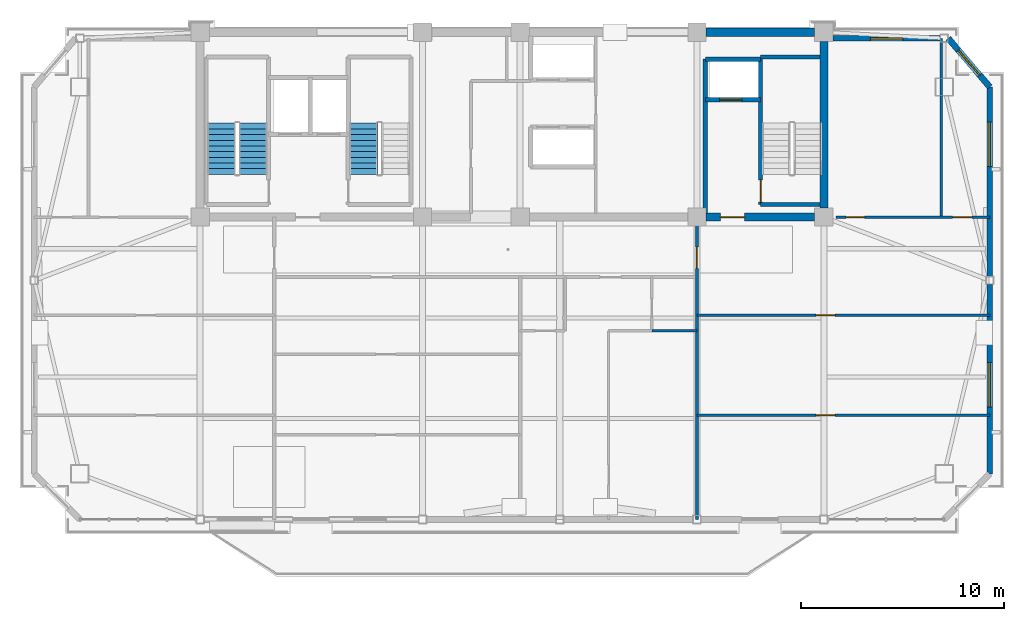
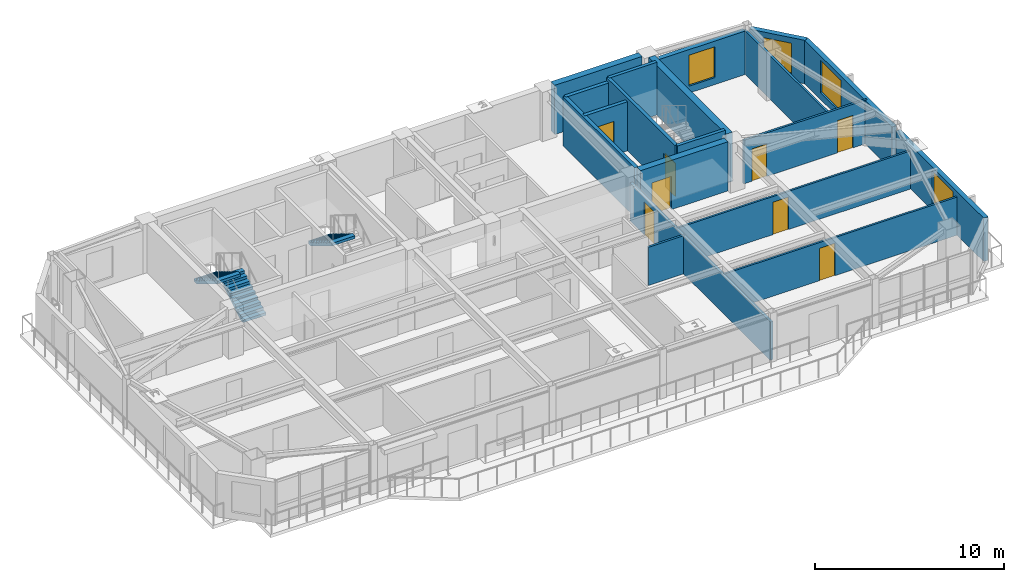
# One storey, part 8 of 12: 19 walls, 8 doors, 4 windows, 3 stair flights, 12 openings, 2 elements without a shape of their own.
"""IFC4 building model written with IfcOpenShell, lengths in metres."""

from ifc_helpers import new_model, si_unit, direction, frame, frame_2d, origin, place, context, subcontext, project, spatial, polyline, rectangle, outline, extrude, source, transform, mapped, material, layer, layer_set, type_object, element, fill, aggregate, save


model = new_model("IFC4")

# Units and contexts
model_context = context("Model", 3, precision=1e-05, world=origin(), true_north=direction((0.0, 1.0)))
body_context = subcontext(model_context, "Body", "Model", "MODEL_VIEW")
ifc_project = project(units=[si_unit("LENGTHUNIT", "METRE"), si_unit("AREAUNIT", "SQUARE_METRE"), si_unit("VOLUMEUNIT", "CUBIC_METRE"), si_unit("PLANEANGLEUNIT", "RADIAN"), si_unit("MASSUNIT", "GRAM", prefix="KILO")], contexts=[model_context])

# Site, building, storey
site_placement = place(None, origin())
site = spatial("IfcSite", under=ifc_project, at=site_placement, CompositionType="ELEMENT")
building_placement = place(site_placement, origin())
building = spatial("IfcBuilding", under=site, at=building_placement, Name="Giltprow Tower", CompositionType="ELEMENT")
storey_placement = place(building_placement, frame((0.0, 0.0, 339.10009765625)))
storey = spatial("IfcBuildingStorey", under=building, at=storey_placement, Name="L88", CompositionType="ELEMENT", Elevation=339.10009765625)

# Wall, opening, window
ifc_material_1 = material(Name="Precast concrete C40", Category="concrete")
ifc_layer_1 = layer(ifc_material_1, 0.300048828125, Name="Precast concrete C40")
ifc_layer_set_1 = layer_set([ifc_layer_1], Name="Precast concrete C40")
wall_type_1 = type_object("IfcWallType", Name="EW-NOTCH-CHAMFER-300", PredefinedType="SOLIDWALL", material=ifc_layer_set_1)
wall_1_placement = place(storey_placement, frame((58.715087890625, 43.85400390625, 0.0), z_axis=(0.0, 0.0, 1.0), x_axis=(-0.64940558052, 0.760442234486, 0.0)))
wall_1 = element("IfcWall", 1, at=wall_1_placement, inside=storey, type_object=wall_type_1, Name="L88 Corner Notch Wall NE", PredefinedType="SOLIDWALL", context=body_context, shape_type="SweptSolid", body=[
    extrude(rectangle(XDim=3.15087890625, YDim=0.300048828125, at=frame_2d((1.575439453125, 0.0))), origin(), (0.0, 0.0, 1.0), 2.81494140625),
])
opening_1_placement = place(wall_1_placement, frame((0.77490234375, 0.0, 0.449951171875)))
opening_1 = element("IfcOpeningElement", 2, at=opening_1_placement, cuts=wall_1, Name="Opening WN17", PredefinedType="OPENING", context=body_context, shape_type="SweptSolid", body=[
    extrude(rectangle(XDim=1.60009765625, YDim=2.0, at=frame_2d((0.800048828125, 1.0))), frame((0.0, 0.159912109375, 0.0), z_axis=(0.0, -1.0, 0.0), x_axis=(1.0, 0.0, 0.0)), (0.0, 0.0, 1.0), 0.320068359375),
])
ifc_material_2 = material(Name="Insulated glass", Category="glass")
window_type_1 = type_object("IfcWindowType", Name="WN-COR-1600x2000", PartitioningType="SINGLE_PANEL", PredefinedType="WINDOW", material=ifc_material_2)
shared_shape_1 = source(origin(), body_context, "Body", "SweptSolid", [
    extrude(rectangle(XDim=1.60009765625, YDim=2.0, at=frame_2d((0.800048828125, 1.0))), frame((0.0, 0.030029296875, 0.0), z_axis=(0.0, -1.0, 0.0), x_axis=(1.0, 0.0, 0.0)), (0.0, 0.0, 1.0), 0.06005859375),
])
window_1_placement = place(opening_1_placement, origin())
window_1 = element("IfcWindow", 3, at=window_1_placement, inside=storey, type_object=window_type_1, Name="L88 Corner Notch Window NE", OverallHeight=2.0, OverallWidth=1.60009765625, PartitioningType="SINGLE_PANEL", PredefinedType="WINDOW", context=body_context, shape_type="MappedRepresentation", body=[
    mapped(shared_shape_1, transform((0.0, 0.0, 0.0), x_axis=(1.0, 0.0, 0.0), y_axis=(0.0, 1.0, 0.0), z_axis=(0.0, 0.0, 1.0), scale=1.0)),
])
fill(opening_1, window_1)

ifc_layer_2 = layer(ifc_material_1, 0.280029296875, Name="Precast concrete C40")
ifc_layer_set_2 = layer_set([ifc_layer_2], Name="Precast concrete C40")
wall_type_2 = type_object("IfcWallType", Name="EW-TOW-BRONZE-280", PredefinedType="SOLIDWALL", material=ifc_layer_set_2)
wall_2_placement = place(storey_placement, frame((58.715087890625, 24.81396484375, 0.0), z_axis=(0.0, 0.0, 1.0), x_axis=(0.0, 1.0, 0.0)))
wall_2 = element("IfcWall", 4, at=wall_2_placement, inside=storey, type_object=wall_type_2, Name="L88 E Wing Masonry Wall 1", PredefinedType="SOLIDWALL", context=body_context, shape_type="SweptSolid", body=[
    extrude(rectangle(XDim=9.320068359375, YDim=0.280029296875, at=frame_2d((4.66015625, 0.0))), origin(), (0.0, 0.0, 1.0), 2.81494140625),
])
opening_2_placement = place(wall_2_placement, frame((3.278076171875, 0.0, 0.449951171875)))
opening_2 = element("IfcOpeningElement", 5, at=opening_2_placement, cuts=wall_2, Name="Opening WN27", PredefinedType="OPENING", context=body_context, shape_type="SweptSolid", body=[
    extrude(rectangle(XDim=2.199951171875, YDim=2.10009765625, at=frame_2d((1.10009765625, 1.050048828125))), frame((0.0, 0.14990234375, 0.0), z_axis=(0.0, -1.0, 0.0), x_axis=(1.0, 0.0, 0.0)), (0.0, 0.0, 1.0), 0.300048828125),
])
window_type_2 = type_object("IfcWindowType", Name="WN-RES-2200x2100", PartitioningType="TRIPLE_PANEL_VERTICAL", PredefinedType="WINDOW", material=ifc_material_2)
shared_shape_2 = source(origin(), body_context, "Body", "SweptSolid", [
    extrude(rectangle(XDim=2.199951171875, YDim=2.10009765625, at=frame_2d((1.10009765625, 1.050048828125))), frame((0.0, 0.030029296875, 0.0), z_axis=(0.0, -1.0, 0.0), x_axis=(1.0, 0.0, 0.0)), (0.0, 0.0, 1.0), 0.06005859375),
])
window_2_placement = place(opening_2_placement, origin())
window_2 = element("IfcWindow", 6, at=window_2_placement, inside=storey, type_object=window_type_2, Name="L88 E Wing Window 1-1", OverallHeight=2.10009765625, OverallWidth=2.199951171875, PartitioningType="SINGLE_PANEL", PredefinedType="WINDOW", context=body_context, shape_type="MappedRepresentation", body=[
    mapped(shared_shape_2, transform((0.0, 0.0, 0.0), x_axis=(1.0, 0.0, 0.0), y_axis=(0.0, 1.0, 0.0), z_axis=(0.0, 0.0, 1.0), scale=1.0)),
])
fill(opening_2, window_2)

wall_3_placement = place(storey_placement, frame((58.715087890625, 34.533935546875, 0.0), z_axis=(0.0, 0.0, 1.0), x_axis=(0.0, 1.0, 0.0)))
wall_3 = element("IfcWall", 7, at=wall_3_placement, inside=storey, type_object=wall_type_2, Name="L88 E Wing Masonry Wall 2", PredefinedType="SOLIDWALL", context=body_context, shape_type="SweptSolid", body=[
    extrude(rectangle(XDim=9.320068359375, YDim=0.280029296875, at=frame_2d((4.66015625, 0.0))), origin(), (0.0, 0.0, 1.0), 2.81494140625),
])
opening_3_placement = place(wall_3_placement, frame((5.39501953125, 0.0, 0.449951171875)))
opening_3 = element("IfcOpeningElement", 8, at=opening_3_placement, cuts=wall_3, Name="Opening WN27", PredefinedType="OPENING", context=body_context, shape_type="SweptSolid", body=[
    extrude(rectangle(XDim=2.199951171875, YDim=2.10009765625, at=frame_2d((1.10009765625, 1.050048828125))), frame((0.0, 0.14990234375, 0.0), z_axis=(0.0, -1.0, 0.0), x_axis=(1.0, 0.0, 0.0)), (0.0, 0.0, 1.0), 0.300048828125),
])
window_3_placement = place(opening_3_placement, origin())
window_3 = element("IfcWindow", 9, at=window_3_placement, inside=storey, type_object=window_type_2, Name="L88 E Wing Window 2-1", OverallHeight=2.10009765625, OverallWidth=2.199951171875, PartitioningType="SINGLE_PANEL", PredefinedType="WINDOW", context=body_context, shape_type="MappedRepresentation", body=[
    mapped(shared_shape_2, transform((0.0, 0.0, 0.0), x_axis=(1.0, 0.0, 0.0), y_axis=(0.0, 1.0, 0.0), z_axis=(0.0, 0.0, 1.0), scale=1.0)),
])
fill(opening_3, window_3)

wall_4_placement = place(storey_placement, frame((51.0, 46.25, 0.0), z_axis=(0.0, 0.0, 1.0), x_axis=(1.0, 0.0, 0.0)))
wall_4 = element("IfcWall", 10, at=wall_4_placement, inside=storey, type_object=wall_type_2, Name="L88 North-East Wing Wall", PredefinedType="SOLIDWALL", context=body_context, shape_type="SweptSolid", body=[
    extrude(rectangle(XDim=5.26904296875, YDim=0.280029296875, at=frame_2d((2.634521484375, 0.0))), origin(), (0.0, 0.0, 1.0), 2.81494140625),
])
opening_4_placement = place(wall_4_placement, frame((1.833984375, 0.0, 0.449951171875)))
opening_4 = element("IfcOpeningElement", 11, at=opening_4_placement, cuts=wall_4, Name="Opening WN17", PredefinedType="OPENING", context=body_context, shape_type="SweptSolid", body=[
    extrude(rectangle(XDim=1.60009765625, YDim=2.0, at=frame_2d((0.800048828125, 1.0))), frame((0.0, 0.14990234375, 0.0), z_axis=(0.0, -1.0, 0.0), x_axis=(1.0, 0.0, 0.0)), (0.0, 0.0, 1.0), 0.300048828125),
])
window_4_placement = place(opening_4_placement, origin())
window_4 = element("IfcWindow", 12, at=window_4_placement, inside=storey, type_object=window_type_1, Name="L88 North-East Window", OverallHeight=2.0, OverallWidth=1.60009765625, PartitioningType="SINGLE_PANEL", PredefinedType="WINDOW", context=body_context, shape_type="MappedRepresentation", body=[
    mapped(shared_shape_1, transform((0.0, 0.0, 0.0), x_axis=(1.0, 0.0, 0.0), y_axis=(0.0, 1.0, 0.0), z_axis=(0.0, 0.0, 1.0), scale=1.0)),
])
fill(opening_4, window_4)

# Wall, opening, door
ifc_material_3 = material(Name="Gypsum stud partition", Category="gypsum")
ifc_layer_3 = layer(ifc_material_3, 0.159912109375, Name="Gypsum stud partition")
ifc_layer_set_3 = layer_set([ifc_layer_3], Name="Gypsum stud partition")
wall_type_3 = type_object("IfcWallType", Name="IW-DEMISE-160", PredefinedType="PARTITIONING", material=ifc_layer_set_3)
wall_5_placement = place(storey_placement, frame((44.300048828125, 22.568115234375, 0.0), z_axis=(0.0, 0.0, 1.0), x_axis=(0.0, 1.0, 0.0)))
wall_5 = element("IfcWall", 13, at=wall_5_placement, inside=storey, type_object=wall_type_3, Name="L88 Apartment Party Wall 3", PredefinedType="PARTITIONING", context=body_context, shape_type="SweptSolid", body=[
    extrude(rectangle(XDim=14.8818359375, YDim=0.159912109375, at=frame_2d((7.44091796875, 0.0))), origin(), (0.0, 0.0, 1.0), 2.469970703125),
])
opening_5_placement = place(wall_5_placement, frame((12.35205078125, 0.0, 0.0)))
opening_5 = element("IfcOpeningElement", 14, at=opening_5_placement, cuts=wall_5, Name="Opening ID31", PredefinedType="OPENING", context=body_context, shape_type="SweptSolid", body=[
    extrude(rectangle(XDim=1.050048828125, YDim=2.14990234375, at=frame_2d((0.52490234375, 1.074951171875))), frame((0.0, 0.08984375, 0.0), z_axis=(0.0, -1.0, 0.0), x_axis=(1.0, 0.0, 0.0)), (0.0, 0.0, 1.0), 0.179931640625),
])
ifc_material_4 = material(Name="Engineered timber", Category="wood")
door_type_1 = type_object("IfcDoorType", Name="DR-SUITE-1050", OperationType="SINGLE_SWING_LEFT", PredefinedType="DOOR", material=ifc_material_4)
shared_shape_3 = source(origin(), body_context, "Body", "SweptSolid", [
    extrude(rectangle(XDim=1.050048828125, YDim=2.14990234375, at=frame_2d((0.52490234375, 1.074951171875))), frame((0.0, 0.02490234375, 0.0), z_axis=(0.0, -1.0, 0.0), x_axis=(1.0, 0.0, 0.0)), (0.0, 0.0, 1.0), 0.050048828125),
])
door_1_placement = place(opening_5_placement, origin())
door_1 = element("IfcDoor", 15, at=door_1_placement, inside=storey, type_object=door_type_1, Name="L88 Rare Books Boutique Shop 2 Corridor End Door", OperationType="SINGLE_SWING_LEFT", OverallHeight=2.14990234375, OverallWidth=1.050048828125, PredefinedType="DOOR", context=body_context, shape_type="MappedRepresentation", body=[
    mapped(shared_shape_3, transform((0.0, 0.0, 0.0), x_axis=(1.0, 0.0, 0.0), y_axis=(0.0, 1.0, 0.0), z_axis=(0.0, 0.0, 1.0), scale=1.0)),
])
fill(opening_5, door_1)

ifc_layer_4 = layer(ifc_material_3, 0.1201171875, Name="Gypsum stud partition")
ifc_layer_set_4 = layer_set([ifc_layer_4], Name="Gypsum stud partition")
wall_type_4 = type_object("IfcWallType", Name="IW-ROOM-120", PredefinedType="PARTITIONING", material=ifc_layer_set_4)
wall_6_placement = place(storey_placement, frame((44.300048828125, 27.69189453125, 0.0), z_axis=(0.0, 0.0, 1.0), x_axis=(1.0, 0.0, 0.0)))
wall_6 = element("IfcWall", 16, at=wall_6_placement, inside=storey, type_object=wall_type_4, Name="L88 Special Split 1", PredefinedType="PARTITIONING", context=body_context, shape_type="SweptSolid", body=[
    extrude(rectangle(XDim=14.4150390625, YDim=0.1201171875, at=frame_2d((7.20751953125, 0.0))), origin(), (0.0, 0.0, 1.0), 2.469970703125),
])
opening_6_placement = place(wall_6_placement, frame((5.85205078125, 0.0, 0.0)))
opening_6 = element("IfcOpeningElement", 17, at=opening_6_placement, cuts=wall_6, Name="Opening ID11", PredefinedType="OPENING", context=body_context, shape_type="SweptSolid", body=[
    extrude(rectangle(XDim=0.949951171875, YDim=2.10009765625, at=frame_2d((0.47509765625, 1.050048828125))), frame((0.0, 0.070068359375, 0.0), z_axis=(0.0, -1.0, 0.0), x_axis=(1.0, 0.0, 0.0)), (0.0, 0.0, 1.0), 0.14013671875),
])
door_type_2 = type_object("IfcDoorType", Name="DR-ROOM-950", OperationType="SINGLE_SWING_RIGHT", PredefinedType="DOOR", material=ifc_material_4)
shared_shape_4 = source(origin(), body_context, "Body", "SweptSolid", [
    extrude(rectangle(XDim=0.949951171875, YDim=2.10009765625, at=frame_2d((0.47509765625, 1.050048828125))), frame((0.0, 0.02490234375, 0.0), z_axis=(0.0, -1.0, 0.0), x_axis=(1.0, 0.0, 0.0)), (0.0, 0.0, 1.0), 0.050048828125),
])
door_2_placement = place(opening_6_placement, origin())
door_2 = element("IfcDoor", 18, at=door_2_placement, inside=storey, type_object=door_type_2, Name="L88 Rare Books Boutique Shop 2 South Door", OperationType="SINGLE_SWING_RIGHT", OverallHeight=2.10009765625, OverallWidth=0.949951171875, PredefinedType="DOOR", context=body_context, shape_type="MappedRepresentation", body=[
    mapped(shared_shape_4, transform((0.0, 0.0, 0.0), x_axis=(1.0, 0.0, 0.0), y_axis=(0.0, 1.0, 0.0), z_axis=(0.0, 0.0, 1.0), scale=1.0)),
])
fill(opening_6, door_2)

wall_7_placement = place(storey_placement, frame((44.300048828125, 32.615966796875, 0.0), z_axis=(0.0, 0.0, 1.0), x_axis=(1.0, 0.0, 0.0)))
wall_7 = element("IfcWall", 19, at=wall_7_placement, inside=storey, type_object=wall_type_4, Name="L88 Special Split 2", PredefinedType="PARTITIONING", context=body_context, shape_type="SweptSolid", body=[
    extrude(rectangle(XDim=14.4150390625, YDim=0.1201171875, at=frame_2d((7.20751953125, 0.0))), origin(), (0.0, 0.0, 1.0), 2.469970703125),
])
opening_7_placement = place(wall_7_placement, frame((5.85205078125, 0.0, 0.0)))
opening_7 = element("IfcOpeningElement", 20, at=opening_7_placement, cuts=wall_7, Name="Opening ID11", PredefinedType="OPENING", context=body_context, shape_type="SweptSolid", body=[
    extrude(rectangle(XDim=0.949951171875, YDim=2.10009765625, at=frame_2d((0.47509765625, 1.050048828125))), frame((0.0, 0.070068359375, 0.0), z_axis=(0.0, -1.0, 0.0), x_axis=(1.0, 0.0, 0.0)), (0.0, 0.0, 1.0), 0.14013671875),
])
door_3_placement = place(opening_7_placement, origin())
door_3 = element("IfcDoor", 21, at=door_3_placement, inside=storey, type_object=door_type_2, Name="L88 Rare Books Boutique Shop 2 Mid Door", OperationType="SINGLE_SWING_LEFT", OverallHeight=2.10009765625, OverallWidth=0.949951171875, PredefinedType="DOOR", context=body_context, shape_type="MappedRepresentation", body=[
    mapped(shared_shape_4, transform((0.0, 0.0, 0.0), x_axis=(1.0, 0.0, 0.0), y_axis=(0.0, 1.0, 0.0), z_axis=(0.0, 0.0, 1.0), scale=1.0)),
])
fill(opening_7, door_3)

ifc_material_5 = material(Name="Concrete C40", Category="concrete")
ifc_layer_5 = layer(ifc_material_5, 0.219970703125, Name="Concrete C40")
ifc_layer_set_5 = layer_set([ifc_layer_5], Name="Concrete C40")
wall_type_5 = type_object("IfcWallType", Name="IW-SHAFT-220", PredefinedType="SOLIDWALL", material=ifc_layer_set_5)
wall_8_placement = place(storey_placement, frame((44.719970703125, 43.219970703125, 0.0), z_axis=(0.0, 0.0, 1.0), x_axis=(1.0, 0.0, 0.0)))
wall_8 = element("IfcWall", 22, at=wall_8_placement, inside=storey, type_object=wall_type_5, Name="L88 FFL2 Front Shaft Wall", PredefinedType="SOLIDWALL", context=body_context, shape_type="SweptSolid", body=[
    extrude(rectangle(XDim=2.719970703125, YDim=0.219970703125, at=frame_2d((1.35986328125, 0.0))), origin(), (0.0, 0.0, 1.0), 3.184814453125),
])
opening_8_placement = place(wall_8_placement, frame((0.699951171875, 0.0, 0.0)))
opening_8 = element("IfcOpeningElement", 23, at=opening_8_placement, cuts=wall_8, Name="Opening LD-11", PredefinedType="OPENING", context=body_context, shape_type="SweptSolid", body=[
    extrude(rectangle(XDim=1.10009765625, YDim=2.199951171875, at=frame_2d((0.550048828125, 1.10009765625))), frame((0.0, 0.119873046875, 0.0), z_axis=(0.0, -1.0, 0.0), x_axis=(1.0, 0.0, 0.0)), (0.0, 0.0, 1.0), 0.239990234375),
])
ifc_material_6 = material(Name="Stainless steel", Category="steel")
door_type_3 = type_object("IfcDoorType", Name="DR-LIFT-LD1100", OperationType="SLIDING_TO_LEFT", PredefinedType="DOOR", material=ifc_material_6)
shared_shape_5 = source(origin(), body_context, "Body", "SweptSolid", [
    extrude(rectangle(XDim=1.10009765625, YDim=2.199951171875, at=frame_2d((0.550048828125, 1.10009765625))), frame((0.0, 0.02490234375, 0.0), z_axis=(0.0, -1.0, 0.0), x_axis=(1.0, 0.0, 0.0)), (0.0, 0.0, 1.0), 0.050048828125),
])
door_4_placement = place(opening_8_placement, origin())
door_4 = element("IfcDoor", 24, at=door_4_placement, inside=storey, type_object=door_type_3, Name="L88 FFL2 Landing Door", OperationType="SLIDING_TO_LEFT", OverallHeight=2.199951171875, OverallWidth=1.10009765625, PredefinedType="DOOR", context=body_context, shape_type="MappedRepresentation", body=[
    mapped(shared_shape_5, transform((0.0, 0.0, 0.0), x_axis=(1.0, 0.0, 0.0), y_axis=(0.0, 1.0, 0.0), z_axis=(0.0, 0.0, 1.0), scale=1.0)),
])
fill(opening_8, door_4)

# Walls
wall_9_placement = place(storey_placement, frame((44.719970703125, 45.219970703125, 0.0), z_axis=(0.0, 0.0, 1.0), x_axis=(1.0, 0.0, 0.0)))
element("IfcWall", 25, at=wall_9_placement, inside=storey, type_object=wall_type_5, Name="L88 FFL2 Back Shaft Wall", PredefinedType="SOLIDWALL", context=body_context, shape_type="SweptSolid", body=[
    extrude(rectangle(XDim=2.719970703125, YDim=0.219970703125, at=frame_2d((1.35986328125, 0.0))), origin(), (0.0, 0.0, 1.0), 3.184814453125),
])
wall_10_placement = place(storey_placement, frame((44.719970703125, 37.6298828125, 0.0), z_axis=(0.0, 0.0, 1.0), x_axis=(0.0, 1.0, 0.0)))
element("IfcWall", 26, at=wall_10_placement, inside=storey, type_object=wall_type_5, Name="L88 East Firefighting Lobby West Wall", PredefinedType="SOLIDWALL", context=body_context, shape_type="SweptSolid", body=[
    extrude(rectangle(XDim=7.590087890625, YDim=0.219970703125, at=frame_2d((3.794921875, 0.0))), origin(), (0.0, 0.0, 1.0), 3.184814453125),
])

# Wall, opening, door
ifc_layer_6 = layer(ifc_material_5, 0.199951171875, Name="Concrete C40")
ifc_layer_set_6 = layer_set([ifc_layer_6], Name="Concrete C40")
wall_type_6 = type_object("IfcWallType", Name="IW-STAIR-200", PredefinedType="SOLIDWALL", material=ifc_layer_set_6)
wall_11_placement = place(storey_placement, frame((47.43994140625, 38.070068359375, 0.0), z_axis=(0.0, 0.0, 1.0), x_axis=(0.0, 1.0, 0.0)))
wall_11 = element("IfcWall", 27, at=wall_11_placement, inside=storey, type_object=wall_type_6, Name="L88 Stair ST-3 West Bearing Wall", PredefinedType="SOLIDWALL", context=body_context, shape_type="SweptSolid", body=[
    extrude(rectangle(XDim=7.25, YDim=0.199951171875, at=frame_2d((3.625, 0.0))), origin(), (0.0, 0.0, 1.0), 3.39990234375),
])
opening_9_placement = place(wall_11_placement, frame((0.110107421875, 0.0, 0.0)))
opening_9 = element("IfcOpeningElement", 28, at=opening_9_placement, cuts=wall_11, Name="Opening ID33", PredefinedType="OPENING", context=body_context, shape_type="SweptSolid", body=[
    extrude(rectangle(XDim=1.10009765625, YDim=2.14990234375, at=frame_2d((0.550048828125, 1.074951171875))), frame((0.0, 0.10986328125, 0.0), z_axis=(0.0, -1.0, 0.0), x_axis=(1.0, 0.0, 0.0)), (0.0, 0.0, 1.0), 0.219970703125),
])
ifc_material_7 = material(Name="Steel fire leaf", Category="steel")
door_type_4 = type_object("IfcDoorType", Name="DR-STAIR-1100", OperationType="SINGLE_SWING_LEFT", PredefinedType="DOOR", material=ifc_material_7)
shared_shape_6 = source(origin(), body_context, "Body", "SweptSolid", [
    extrude(rectangle(XDim=1.10009765625, YDim=2.14990234375, at=frame_2d((0.550048828125, 1.074951171875))), frame((0.0, 0.02490234375, 0.0), z_axis=(0.0, -1.0, 0.0), x_axis=(1.0, 0.0, 0.0)), (0.0, 0.0, 1.0), 0.050048828125),
])
door_5_placement = place(opening_9_placement, origin())
door_5 = element("IfcDoor", 29, at=door_5_placement, inside=storey, type_object=door_type_4, Name="L88 Stair ST-3 Fire Door", OperationType="SINGLE_SWING_LEFT", OverallHeight=2.14990234375, OverallWidth=1.10009765625, PredefinedType="DOOR", context=body_context, shape_type="MappedRepresentation", body=[
    mapped(shared_shape_6, transform((0.0, 0.0, 0.0), x_axis=(1.0, 0.0, 0.0), y_axis=(0.0, 1.0, 0.0), z_axis=(0.0, 0.0, 1.0), scale=1.0)),
])
fill(opening_9, door_5)

# Walls
for number, where, z_axis, x_axis, name in (
    (30, (47.43994140625, 45.320068359375, 0.0), (0.0, 0.0, 1.0), (1.0, 0.0, 0.0), "L88 Stair ST-3 North Bearing Wall"),
    (31, (47.43994140625, 38.070068359375, 0.0), (0.0, 0.0, 1.0), (1.0, 0.0, 0.0), "L88 Stair ST-3 South Bearing Wall"),
):
    element("IfcWall", number, at=place(storey_placement, frame(where, z_axis=z_axis, x_axis=x_axis)), inside=storey, type_object=wall_type_6, Name=name, PredefinedType="SOLIDWALL", context=body_context, shape_type="SweptSolid", body=[
        extrude(rectangle(XDim=2.93017578125, YDim=0.199951171875, at=frame_2d((1.465087890625, 0.0))), origin(), (0.0, 0.0, 1.0), 3.39990234375),
    ])
ifc_material_8 = material(Name="Concrete C30", Category="concrete")
ifc_layer_7 = layer(ifc_material_8, 0.1298828125, Name="Concrete C30")
ifc_layer_set_7 = layer_set([ifc_layer_7], Name="Concrete C30")
wall_type_7 = type_object("IfcWallType", Name="IW-WET-130", PredefinedType="PARTITIONING", material=ifc_layer_set_7)
wall_12_placement = place(storey_placement, frame((42.0849609375, 31.85009765625, 0.0), z_axis=(0.0, 0.0, 1.0), x_axis=(1.0, 0.0, 0.0)))
element("IfcWall", 32, at=wall_12_placement, inside=storey, type_object=wall_type_7, Name="L88 Unit 1 Bathroom South Wall", PredefinedType="PARTITIONING", context=body_context, shape_type="SweptSolid", body=[
    extrude(rectangle(XDim=2.215087890625, YDim=0.1298828125, at=frame_2d((1.107421875, 0.0))), origin(), (0.0, 0.0, 1.0), 2.469970703125),
])

# Wall, openings, doors
wall_13_placement = place(storey_placement, frame((51.14990234375, 37.449951171875, 0.0), z_axis=(0.0, 0.0, 1.0), x_axis=(1.0, 0.0, 0.0)))
wall_13 = element("IfcWall", 33, at=wall_13_placement, inside=storey, type_object=wall_type_7, Name="L88 NE Wing South Wall", PredefinedType="PARTITIONING", context=body_context, shape_type="SweptSolid", body=[
    extrude(rectangle(XDim=7.565185546875, YDim=0.1298828125, at=frame_2d((3.78271484375, 0.0))), origin(), (0.0, 0.0, 1.0), 2.81982421875),
])
opening_10_placement = place(wall_13_placement, frame((0.5, 0.0, 0.0)))
opening_10 = element("IfcOpeningElement", 34, at=opening_10_placement, cuts=wall_13, Name="Opening ID15", PredefinedType="OPENING", context=body_context, shape_type="SweptSolid", body=[
    extrude(rectangle(XDim=0.89990234375, YDim=2.10009765625, at=frame_2d((0.449951171875, 1.050048828125))), frame((0.0, 0.074951171875, 0.0), z_axis=(0.0, -1.0, 0.0), x_axis=(1.0, 0.0, 0.0)), (0.0, 0.0, 1.0), 0.14990234375),
])
opening_11_placement = place(wall_13_placement, frame((5.735107421875, 0.0, 0.0)))
opening_11 = element("IfcOpeningElement", 35, at=opening_11_placement, cuts=wall_13, Name="Opening ID11", PredefinedType="OPENING", context=body_context, shape_type="SweptSolid", body=[
    extrude(rectangle(XDim=0.949951171875, YDim=2.10009765625, at=frame_2d((0.47509765625, 1.050048828125))), frame((0.0, 0.074951171875, 0.0), z_axis=(0.0, -1.0, 0.0), x_axis=(1.0, 0.0, 0.0)), (0.0, 0.0, 1.0), 0.14990234375),
])
door_type_5 = type_object("IfcDoorType", Name="DR-WC-900", OperationType="SINGLE_SWING_LEFT", PredefinedType="DOOR", material=ifc_material_4)
shared_shape_7 = source(origin(), body_context, "Body", "SweptSolid", [
    extrude(rectangle(XDim=0.89990234375, YDim=2.10009765625, at=frame_2d((0.449951171875, 1.050048828125))), frame((0.0, 0.02490234375, 0.0), z_axis=(0.0, -1.0, 0.0), x_axis=(1.0, 0.0, 0.0)), (0.0, 0.0, 1.0), 0.050048828125),
])
door_6_placement = place(opening_10_placement, origin())
door_6 = element("IfcDoor", 36, at=door_6_placement, inside=storey, type_object=door_type_5, Name="L88 East Wing Washroom Door", OperationType="SINGLE_SWING_RIGHT", OverallHeight=2.10009765625, OverallWidth=0.89990234375, PredefinedType="DOOR", context=body_context, shape_type="MappedRepresentation", body=[
    mapped(shared_shape_7, transform((0.0, 0.0, 0.0), x_axis=(1.0, 0.0, 0.0), y_axis=(0.0, 1.0, 0.0), z_axis=(0.0, 0.0, 1.0), scale=1.0)),
])
fill(opening_10, door_6)
door_7_placement = place(opening_11_placement, origin())
door_7 = element("IfcDoor", 37, at=door_7_placement, inside=storey, type_object=door_type_2, Name="L88 Residents Reading Lounge Door", OperationType="SINGLE_SWING_RIGHT", OverallHeight=2.10009765625, OverallWidth=0.949951171875, PredefinedType="DOOR", context=body_context, shape_type="MappedRepresentation", body=[
    mapped(shared_shape_4, transform((0.0, 0.0, 0.0), x_axis=(1.0, 0.0, 0.0), y_axis=(0.0, 1.0, 0.0), z_axis=(0.0, 0.0, 1.0), scale=1.0)),
])
fill(opening_11, door_7)

# Walls
wall_14_placement = place(storey_placement, frame((56.3349609375, 37.449951171875, 0.0), z_axis=(0.0, 0.0, 1.0), x_axis=(0.0, 1.0, 0.0)))
element("IfcWall", 38, at=wall_14_placement, inside=storey, type_object=wall_type_7, Name="L88 NE Wing Divider", PredefinedType="PARTITIONING", context=body_context, shape_type="SweptSolid", body=[
    extrude(rectangle(XDim=8.800048828125, YDim=0.1298828125, at=frame_2d((4.39990234375, 0.0))), origin(), (0.0, 0.0, 1.0), 2.81982421875),
])
ifc_material_9 = material(Name="Concrete C45", Category="concrete")
ifc_layer_8 = layer(ifc_material_9, 0.39990234375, Name="Concrete C45")
ifc_layer_set_8 = layer_set([ifc_layer_8], Name="Concrete C45")
wall_type_8 = type_object("IfcWallType", Name="SW-EXT-400-C45", PredefinedType="SHEAR", material=ifc_layer_set_8)
wall_15_placement = place(storey_placement, frame((44.75, 46.550048828125, 0.0), z_axis=(0.0, 0.0, 1.0), x_axis=(1.0, 0.0, 0.0)))
element("IfcWall", 39, at=wall_15_placement, inside=storey, type_object=wall_type_8, Name="L88 North Rear Core Shear Wall 4", PredefinedType="SHEAR", context=body_context, shape_type="SweptSolid", body=[
    extrude(rectangle(XDim=5.35009765625, YDim=0.39990234375, at=frame_2d((2.675048828125, 0.0))), origin(), (0.0, 0.0, 1.0), 3.184814453125),
])

# Wall, opening, door
ifc_layer_9 = layer(ifc_material_9, 0.39990234375, Name="Concrete C45")
ifc_layer_set_9 = layer_set([ifc_layer_9], Name="Concrete C45")
wall_type_9 = type_object("IfcWallType", Name="SW-INT-400-C45", PredefinedType="SHEAR", material=ifc_layer_set_9)
wall_16_placement = place(storey_placement, frame((44.75, 37.449951171875, 0.0), z_axis=(0.0, 0.0, 1.0), x_axis=(1.0, 0.0, 0.0)))
wall_16 = element("IfcWall", 40, at=wall_16_placement, inside=storey, type_object=wall_type_9, Name="L88 South Rear Core Shear Wall East", PredefinedType="SHEAR", context=body_context, shape_type="SweptSolid", body=[
    extrude(rectangle(XDim=5.35009765625, YDim=0.39990234375, at=frame_2d((2.675048828125, 0.0))), origin(), (0.0, 0.0, 1.0), 3.184814453125),
])
opening_12_placement = place(wall_16_placement, frame((0.699951171875, 0.0, 0.0)))
opening_12 = element("IfcOpeningElement", 41, at=opening_12_placement, cuts=wall_16, Name="Opening ID19", PredefinedType="OPENING", context=body_context, shape_type="SweptSolid", body=[
    extrude(rectangle(XDim=1.199951171875, YDim=2.14990234375, at=frame_2d((0.60009765625, 1.074951171875))), frame((0.0, 0.2099609375, 0.0), z_axis=(0.0, -1.0, 0.0), x_axis=(1.0, 0.0, 0.0)), (0.0, 0.0, 1.0), 0.419921875),
])
door_type_6 = type_object("IfcDoorType", Name="DR-FFLOBBY-1200", OperationType="SINGLE_SWING_RIGHT", PredefinedType="DOOR", material=ifc_material_7)
shared_shape_8 = source(origin(), body_context, "Body", "SweptSolid", [
    extrude(rectangle(XDim=1.199951171875, YDim=2.14990234375, at=frame_2d((0.60009765625, 1.074951171875))), frame((0.0, 0.02490234375, 0.0), z_axis=(0.0, -1.0, 0.0), x_axis=(1.0, 0.0, 0.0)), (0.0, 0.0, 1.0), 0.050048828125),
])
door_8_placement = place(opening_12_placement, origin())
door_8 = element("IfcDoor", 42, at=door_8_placement, inside=storey, type_object=door_type_6, Name="L88 East Firefighting Lobby Entry Door", OperationType="SINGLE_SWING_RIGHT", OverallHeight=2.14990234375, OverallWidth=1.199951171875, PredefinedType="DOOR", context=body_context, shape_type="MappedRepresentation", body=[
    mapped(shared_shape_8, transform((0.0, 0.0, 0.0), x_axis=(1.0, 0.0, 0.0), y_axis=(0.0, 1.0, 0.0), z_axis=(0.0, 0.0, 1.0), scale=1.0)),
])
fill(opening_12, door_8)

# Wall
wall_17_placement = place(storey_placement, frame((50.550048828125, 37.89990234375, 0.0), z_axis=(0.0, 0.0, 1.0), x_axis=(0.0, 1.0, 0.0)))
element("IfcWall", 43, at=wall_17_placement, inside=storey, type_object=wall_type_9, Name="L88 E Rear Core Shear Wall", PredefinedType="SHEAR", context=body_context, shape_type="SweptSolid", body=[
    extrude(rectangle(XDim=8.2001953125, YDim=0.39990234375, at=frame_2d((4.10009765625, 0.0))), origin(), (0.0, 0.0, 1.0), 3.184814453125),
])

# Stair, stair flights
stair_type_1 = type_object("IfcStairType", Name="STR-ST-1", PredefinedType="HALF_TURN_STAIR", material=ifc_material_5)
stair_1_placement = place(storey_placement, origin())
stair_1 = element("IfcStair", 44, at=stair_1_placement, inside=storey, type_object=stair_type_1, Name="L88 Core Exit Stair ST-1", PredefinedType="HALF_TURN_STAIR")
stair_flight_type_1 = type_object("IfcStairFlightType", Name="SFL-ST-1", PredefinedType="STRAIGHT", material=ifc_material_5)
stair_flight_1_placement = place(storey_placement, frame((22.4599609375, 39.550048828125, 0.0), z_axis=(0.0, 0.0, 1.0), x_axis=(0.0, 1.0, 0.0)))
stair_flight_1 = element("IfcStairFlight", 45, at=stair_flight_1_placement, type_object=stair_flight_type_1, Name="ST-1 flight 1", NumberOfRisers=10, NumberOfTreads=9, PredefinedType="STRAIGHT", RiserHeight=0.17, TreadLength=0.28, context=body_context, shape_type="SweptSolid", body=[
    extrude(outline(polyline([(0.0, 0.0), (0.0, 0.169921875), (0.280029296875, 0.169921875), (0.280029296875, 0.340087890625), (0.56005859375, 0.340087890625), (0.56005859375, 0.510009765625), (0.840087890625, 0.510009765625), (0.840087890625, 0.679931640625), (1.1201171875, 0.679931640625), (1.1201171875, 0.85009765625), (1.39990234375, 0.85009765625), (1.39990234375, 1.02001953125), (1.679931640625, 1.02001953125), (1.679931640625, 1.18994140625), (1.9599609375, 1.18994140625), (1.9599609375, 1.360107421875), (2.239990234375, 1.360107421875), (2.239990234375, 1.530029296875), (2.52001953125, 1.530029296875), (2.52001953125, 1.699951171875), (2.52001953125, 1.354736328125), (0.288818359375, 0.0), (0.0, 0.0)])), frame((0.0, 0.699951171875, 0.0), z_axis=(0.0, -1.0, 0.0), x_axis=(1.0, 0.0, 0.0)), (0.0, 0.0, 1.0), 1.39990234375),
])
stair_flight_2_placement = place(storey_placement, frame((20.89990234375, 42.070068359375, 1.699951171875), z_axis=(0.0, 0.0, 1.0), x_axis=(0.0, -1.0, 0.0)))
stair_flight_2 = element("IfcStairFlight", 46, at=stair_flight_2_placement, type_object=stair_flight_type_1, Name="ST-1 flight 2", NumberOfRisers=10, NumberOfTreads=9, PredefinedType="STRAIGHT", RiserHeight=0.17, TreadLength=0.28, context=body_context, shape_type="SweptSolid", body=[
    extrude(outline(polyline([(0.0, 0.0), (0.0, 0.169921875), (0.280029296875, 0.169921875), (0.280029296875, 0.340087890625), (0.56005859375, 0.340087890625), (0.56005859375, 0.510009765625), (0.840087890625, 0.510009765625), (0.840087890625, 0.679931640625), (1.1201171875, 0.679931640625), (1.1201171875, 0.85009765625), (1.39990234375, 0.85009765625), (1.39990234375, 1.02001953125), (1.679931640625, 1.02001953125), (1.679931640625, 1.18994140625), (1.9599609375, 1.18994140625), (1.9599609375, 1.360107421875), (2.239990234375, 1.360107421875), (2.239990234375, 1.530029296875), (2.52001953125, 1.530029296875), (2.52001953125, 1.699951171875), (2.52001953125, 1.354736328125), (0.288818359375, 0.0), (0.0, 0.0)])), frame((0.0, 0.699951171875, 0.0), z_axis=(0.0, -1.0, 0.0), x_axis=(1.0, 0.0, 0.0)), (0.0, 0.0, 1.0), 1.39990234375),
])
aggregate(stair_1, [stair_flight_1, stair_flight_2])

# Stair, stair flight
stair_type_2 = type_object("IfcStairType", Name="STR-ST-2", PredefinedType="HALF_TURN_STAIR", material=ifc_material_5)
stair_2_placement = place(storey_placement, origin())
stair_2 = element("IfcStair", 47, at=stair_2_placement, inside=storey, type_object=stair_type_2, Name="L88 Core Exit Stair ST-2", PredefinedType="HALF_TURN_STAIR")
stair_flight_type_2 = type_object("IfcStairFlightType", Name="SFL-ST-2", PredefinedType="STRAIGHT", material=ifc_material_5)
stair_flight_3_placement = place(storey_placement, frame((27.89990234375, 42.070068359375, 1.699951171875), z_axis=(0.0, 0.0, 1.0), x_axis=(0.0, -1.0, 0.0)))
stair_flight_3 = element("IfcStairFlight", 48, at=stair_flight_3_placement, type_object=stair_flight_type_2, Name="ST-2 flight 2", NumberOfRisers=10, NumberOfTreads=9, PredefinedType="STRAIGHT", RiserHeight=0.17, TreadLength=0.28, context=body_context, shape_type="SweptSolid", body=[
    extrude(outline(polyline([(0.0, 0.0), (0.0, 0.169921875), (0.280029296875, 0.169921875), (0.280029296875, 0.340087890625), (0.56005859375, 0.340087890625), (0.56005859375, 0.510009765625), (0.840087890625, 0.510009765625), (0.840087890625, 0.679931640625), (1.1201171875, 0.679931640625), (1.1201171875, 0.85009765625), (1.39990234375, 0.85009765625), (1.39990234375, 1.02001953125), (1.679931640625, 1.02001953125), (1.679931640625, 1.18994140625), (1.9599609375, 1.18994140625), (1.9599609375, 1.360107421875), (2.239990234375, 1.360107421875), (2.239990234375, 1.530029296875), (2.52001953125, 1.530029296875), (2.52001953125, 1.699951171875), (2.52001953125, 1.354736328125), (0.288818359375, 0.0), (0.0, 0.0)])), frame((0.0, 0.699951171875, 0.0), z_axis=(0.0, -1.0, 0.0), x_axis=(1.0, 0.0, 0.0)), (0.0, 0.0, 1.0), 1.39990234375),
])
aggregate(stair_2, [stair_flight_3])

save(model, "model.ifc")
